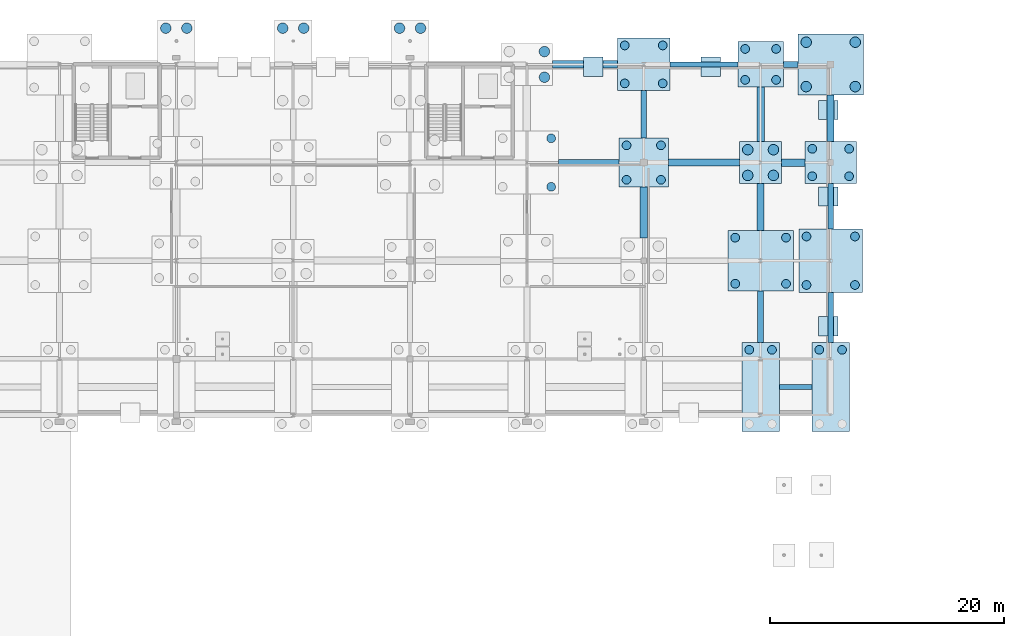
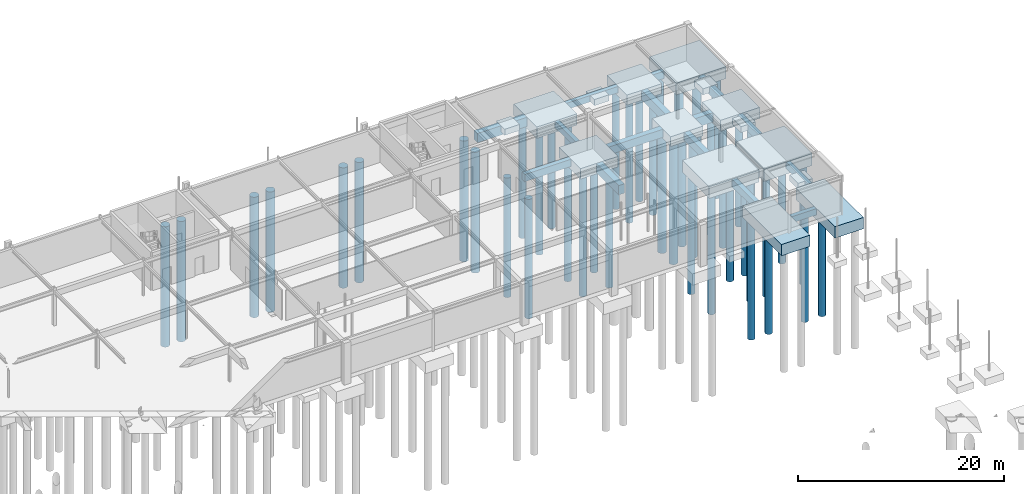
# One storey, part 11 of 75: 46 piles, 30 footings.
"""IFC4 building model written with IfcOpenShell, lengths in metres."""

import ifcopenshell
import ifcopenshell.guid

model = None  # the IFC model being written
_history = None  # IfcOwnerHistory: only IFC2X3 demands one
_inside = {}  # id of a spatial element -> (the spatial element, [elements in it])
_under = {}  # id of a project, library or spatial element -> (it, [spatial elements below it])
_declared = {}  # id of a project -> (the project, [libraries it declares])
_typed = {}  # id of a type object -> (the type object, [elements of that type])
_made_of = {}  # id of a material, layer set ... -> (it, [elements and type objects made of it])


def new_model(schema):
    """Start an empty IFC model of exactly this schema.

    Asked for "IFC4X3", IfcOpenShell would pick the latest addendum, in which some entities
    have other attributes; the version numbers below select the first issue.
    IFC2X3 requires an IfcOwnerHistory on every rooted entity: one is made here for all.
    """
    global model, _history
    if schema == "IFC4X3":
        model = ifcopenshell.file(schema_version=(4, 3, 0, 0))
    else:
        model = ifcopenshell.file(schema=schema)
    _inside.clear()
    _under.clear()
    _declared.clear()
    _typed.clear()
    _made_of.clear()
    _history = None
    if model.schema == "IFC2X3":
        org = make("IfcOrganization", Name="unknown")
        user = make(
            "IfcPersonAndOrganization",
            ThePerson=make("IfcPerson", FamilyName="unknown"),
            TheOrganization=org,
        )
        app = make(
            "IfcApplication",
            ApplicationDeveloper=org,
            Version="unknown",
            ApplicationFullName="unknown",
            ApplicationIdentifier="unknown",
        )
        _history = make(
            "IfcOwnerHistory",
            OwningUser=user,
            OwningApplication=app,
            ChangeAction="ADDED",
            CreationDate=0,
        )
    return model


def make(cls, **values):
    """One entity of the class cls with the attributes given. An attribute that is None is left unset."""
    return model.create_entity(
        cls, **{name: value for name, value in values.items() if value is not None}
    )


def rooted(cls, **values):
    """An entity with a GlobalId (a new one), such as an element, a storey or a relation."""
    return make(cls, GlobalId=ifcopenshell.guid.new(), OwnerHistory=_history, **values)


def si_unit(unit_type, name, prefix=None):
    """IfcSIUnit, for example si_unit("LENGTHUNIT", "METRE", prefix="MILLI")."""
    return make("IfcSIUnit", UnitType=unit_type, Prefix=prefix, Name=name)


def derived_unit(unit_type, elements):
    """IfcDerivedUnit: a product of units, each with its exponent."""
    return make(
        "IfcDerivedUnit",
        Elements=[
            make("IfcDerivedUnitElement", Unit=unit, Exponent=power)
            for unit, power in elements
        ],
        UnitType=unit_type,
    )


def assignment(units):
    """IfcUnitAssignment: the units of a project."""
    return None if units is None else make("IfcUnitAssignment", Units=units)


def point(xyz):
    """IfcCartesianPoint."""
    return None if xyz is None else make("IfcCartesianPoint", Coordinates=xyz)


def direction(xyz):
    """IfcDirection."""
    return None if xyz is None else make("IfcDirection", DirectionRatios=xyz)


def frame(location, z_axis=None, x_axis=None):
    """IfcAxis2Placement3D, a coordinate frame: its origin and axes. An axis left out is left unset."""
    return make(
        "IfcAxis2Placement3D",
        Location=point(location),
        Axis=direction(z_axis),
        RefDirection=direction(x_axis),
    )


def frame_2d(location, x_axis=None):
    """IfcAxis2Placement2D, a coordinate frame in the plane: its origin and x axis."""
    return make(
        "IfcAxis2Placement2D", Location=point(location), RefDirection=direction(x_axis)
    )


def origin():
    """The frame at (0, 0, 0) with its axes left unset."""
    return frame((0.0, 0.0, 0.0))


def origin_2d_with_axis():
    """The frame at (0, 0) in the plane with the x axis (1, 0) written out."""
    return frame_2d((0.0, 0.0), x_axis=(1.0, 0.0))


def place(relative_to, where):
    """IfcLocalPlacement: puts the frame where relative to a parent placement (None: the world)."""
    return make(
        "IfcLocalPlacement", PlacementRelTo=relative_to, RelativePlacement=where
    )


def context(
    kind, dimensions, precision=None, world=None, true_north=None, identifier=None
):
    """IfcGeometricRepresentationContext, for example the 3D "Model" context."""
    return make(
        "IfcGeometricRepresentationContext",
        ContextIdentifier=identifier,
        ContextType=kind,
        CoordinateSpaceDimension=dimensions,
        Precision=precision,
        WorldCoordinateSystem=world,
        TrueNorth=true_north,
    )


def subcontext(parent, identifier, kind, view, scale=None):
    """IfcGeometricRepresentationSubContext, for example "Body" below "Model"."""
    return make(
        "IfcGeometricRepresentationSubContext",
        ContextIdentifier=identifier,
        ContextType=kind,
        ParentContext=parent,
        TargetScale=scale,
        TargetView=view,
    )


def project(units=None, contexts=None):
    """IfcProject with its units and contexts."""
    return rooted(
        "IfcProject",
        Name="project",
        RepresentationContexts=contexts,
        UnitsInContext=assignment(units),
    )


def spatial(cls, under=None, at=None, **own):
    """A site, building, storey or space (cls), placed at a placement, below another one or the project."""
    s = rooted(cls, ObjectPlacement=at, **own)
    if under is not None:
        _under.setdefault(under.id(), (under, []))[1].append(s)
    return s


def profile(cls, at=None, kind="AREA", **sizes):
    """A parametric profile (cls). Its sizes go by their IFC names, for example OverallWidth=200.0."""
    return make(cls, ProfileType=kind, Position=at, **sizes)


def rectangle(**sizes):
    """IfcRectangleProfileDef."""
    return profile("IfcRectangleProfileDef", **sizes)


def circle(**sizes):
    """IfcCircleProfileDef."""
    return profile("IfcCircleProfileDef", **sizes)


def extrude(swept, where, along, depth):
    """IfcExtrudedAreaSolid: the profile swept, set in the frame where, extruded along a direction by depth."""
    return make(
        "IfcExtrudedAreaSolid",
        SweptArea=swept,
        Position=where,
        ExtrudedDirection=direction(along),
        Depth=depth,
    )


def shape(context_of_items, identifier, shape_type, items):
    """IfcShapeRepresentation: the items that make up one representation, for example the "Body"."""
    return make(
        "IfcShapeRepresentation",
        ContextOfItems=context_of_items,
        RepresentationIdentifier=identifier,
        RepresentationType=shape_type,
        Items=items,
    )


def material(Name=None, Category=None):
    """IfcMaterial."""
    return make("IfcMaterial", Name=Name, Category=Category)


def layer(
    of_material, thickness, ventilated=None, Name=None, Category=None, Priority=None
):
    """IfcMaterialLayer: one layer of a wall or slab, of a material (None: an air gap)."""
    return make(
        "IfcMaterialLayer",
        Material=of_material,
        LayerThickness=thickness,
        IsVentilated=ventilated,
        Name=Name,
        Category=Category,
        Priority=Priority,
    )


def layer_set(layers, Name=None):
    """IfcMaterialLayerSet."""
    return make("IfcMaterialLayerSet", MaterialLayers=layers, LayerSetName=Name)


def material_profile(
    of_material, cross_section, Name=None, Category=None, Priority=None
):
    """IfcMaterialProfile: a cross section and its material."""
    return make(
        "IfcMaterialProfile",
        Name=Name,
        Material=of_material,
        Profile=cross_section,
        Priority=Priority,
        Category=Category,
    )


def profile_set(profiles, Name=None, composite=None):
    """IfcMaterialProfileSet."""
    return make(
        "IfcMaterialProfileSet",
        Name=Name,
        MaterialProfiles=profiles,
        CompositeProfile=composite,
    )


def made_of(thing, what):
    """Note that an element or type object is made of a material, layer set ...; save() writes the relation."""
    if what is not None:
        _made_of.setdefault(what.id(), (what, []))[1].append(thing)
    return thing


def type_object(cls, material=None, **own):
    """A type object (cls), such as IfcWallType, which elements share."""
    return made_of(rooted(cls, **own), material)


def element(
    cls,
    number,
    at=None,
    inside=None,
    cuts=None,
    type_object=None,
    material=None,
    context=None,
    identifier="Body",
    shape_type=None,
    held_by="IfcProductDefinitionShape",
    body=None,
    shapes=None,
    **own,
):
    """One element of the class cls, such as IfcWall. Its Tag is "e" and its number.

    at: its placement. inside: the storey or other place that contains it. cuts: it is an
    opening in that element (IfcRelVoidsElement). A single representation is given by context,
    identifier, shape_type and body (its items); several are given by shapes. held_by: the class
    of the entity that holds the representations. save() writes the other relations.
    """
    e = rooted(cls, Tag="e%d" % number, ObjectPlacement=at, **own)
    if body is not None:
        shapes = [shape(context, identifier, shape_type, body)]
    if shapes is not None:
        e.Representation = make(held_by, Representations=shapes)
    if inside is not None:
        _inside.setdefault(inside.id(), (inside, []))[1].append(e)
    if cuts is not None:
        rooted(
            "IfcRelVoidsElement", RelatingBuildingElement=cuts, RelatedOpeningElement=e
        )
    if type_object is not None:
        _typed.setdefault(type_object.id(), (type_object, []))[1].append(e)
    return made_of(e, material)


def aggregate(whole, parts):
    """IfcRelAggregates: a whole, such as a stair, and the parts it consists of."""
    return rooted("IfcRelAggregates", RelatingObject=whole, RelatedObjects=parts)


def save(model, path):
    """Write the relations noted so far, then the file.

    IfcRelAggregates (storeys below a building ...), IfcRelContainedInSpatialStructure (elements
    in a storey), IfcRelDefinesByType, IfcRelAssociatesMaterial and IfcRelDeclares: one each for
    every whole, place, type object, material and project.
    """
    for whole, parts in _under.values():
        aggregate(whole, parts)
    for where, things in _inside.values():
        rooted(
            "IfcRelContainedInSpatialStructure",
            RelatedElements=things,
            RelatingStructure=where,
        )
    for kind, things in _typed.values():
        rooted("IfcRelDefinesByType", RelatedObjects=things, RelatingType=kind)
    for what, things in _made_of.values():
        rooted("IfcRelAssociatesMaterial", RelatedObjects=things, RelatingMaterial=what)
    for by, libraries in _declared.values():
        rooted("IfcRelDeclares", RelatingContext=by, RelatedDefinitions=libraries)
    model.write(path)


model = new_model("IFC4")

# Units and contexts
model_context = context("Model", 3, precision=1e-05, world=origin(), true_north=direction((0.0, 1.0)))
body_context = subcontext(model_context, "Body", "Model", "MODEL_VIEW")
ifc_project = project(units=[si_unit("LENGTHUNIT", "METRE"), si_unit("AREAUNIT", "SQUARE_METRE"), si_unit("VOLUMEUNIT", "CUBIC_METRE"), si_unit("PLANEANGLEUNIT", "RADIAN"), si_unit("MASSUNIT", "GRAM", prefix="KILO"), derived_unit("THERMALTRANSMITTANCEUNIT", [(si_unit("POWERUNIT", "WATT"), 1), (si_unit("LENGTHUNIT", "METRE"), -2), (si_unit("THERMODYNAMICTEMPERATUREUNIT", "KELVIN"), -1)])], contexts=[model_context])

# Site, building, storey
site_placement = place(None, origin())
site = spatial("IfcSite", under=ifc_project, at=site_placement, CompositionType="ELEMENT")
building_placement = place(site_placement, origin())
building = spatial("IfcBuilding", under=site, at=building_placement, Name="Cinnabar Yard Market Hall", CompositionType="ELEMENT")
storey_placement = place(building_placement, frame((0.0, 0.0, -4.5)))
storey = spatial("IfcBuildingStorey", under=building, at=storey_placement, Name="B1", CompositionType="ELEMENT", Elevation=-4.5)

# Footings
ifc_material = material(Name="Concrete 40 MPa", Category="concrete")
ifc_material_profile_1 = material_profile(ifc_material, rectangle(XDim=0.449951171875, YDim=0.75, at=origin_2d_with_axis()), Name="GB-450x750")
ifc_profile_set_1 = profile_set([ifc_material_profile_1], Name="Concrete 40 MPa")
footing_type_1 = type_object("IfcFootingType", Name="FT-GB01", PredefinedType="FOOTING_BEAM", material=ifc_profile_set_1)
footing_1_placement = place(storey_placement, frame((157.60009765625, 110.39990234375, -0.824951171875), z_axis=(1.0, 0.0, 0.0), x_axis=(0.0, 1.0, 0.0)))
element("IfcFooting", 1, at=footing_1_placement, inside=storey, type_object=footing_type_1, Name="Ground Beam X 0120", PredefinedType="FOOTING_BEAM", context=body_context, shape_type="SweptSolid", body=[
    extrude(rectangle(XDim=0.449951171875, YDim=0.75, at=origin_2d_with_axis()), origin(), (0.0, 0.0, 1.0), 2.7998046875),
])
footing_2_placement = place(storey_placement, frame((148.25, 138.0, -0.824951171875), z_axis=(1.0, 0.0, 0.0), x_axis=(0.0, 1.0, 0.0)))
element("IfcFooting", 2, at=footing_2_placement, inside=storey, type_object=footing_type_1, Name="Ground Beam X 0148", PredefinedType="FOOTING_BEAM", context=body_context, shape_type="SweptSolid", body=[
    extrude(rectangle(XDim=0.449951171875, YDim=0.75, at=origin_2d_with_axis()), origin(), (0.0, 0.0, 1.0), 5.800048828125),
])
footing_3_placement = place(storey_placement, frame((146.0, 131.699951171875, -0.824951171875), z_axis=(0.0, 1.0, 0.0), x_axis=(-1.0, 0.0, 0.0)))
element("IfcFooting", 3, at=footing_3_placement, inside=storey, type_object=footing_type_1, Name="Ground Beam Y 0252", PredefinedType="FOOTING_BEAM", context=body_context, shape_type="SweptSolid", body=[
    extrude(rectangle(XDim=0.449951171875, YDim=0.75, at=origin_2d_with_axis()), origin(), (0.0, 0.0, 1.0), 4.050048828125),
])
footing_4_placement = place(storey_placement, frame((162.0, 114.199951171875, -0.824951171875), z_axis=(0.0, 1.0, 0.0), x_axis=(-1.0, 0.0, 0.0)))
element("IfcFooting", 4, at=footing_4_placement, inside=storey, type_object=footing_type_1, Name="Ground Beam Y 0260", PredefinedType="FOOTING_BEAM", context=body_context, shape_type="SweptSolid", body=[
    extrude(rectangle(XDim=0.449951171875, YDim=0.75, at=origin_2d_with_axis()), origin(), (0.0, 0.0, 1.0), 4.300048828125),
])
ifc_material_profile_2 = material_profile(ifc_material, rectangle(XDim=0.5, YDim=0.85009765625, at=origin_2d_with_axis()), Name="GB-500x850")
ifc_profile_set_2 = profile_set([ifc_material_profile_2], Name="Concrete 40 MPa")
footing_type_2 = type_object("IfcFootingType", Name="FT-GB02", PredefinedType="FOOTING_BEAM", material=ifc_profile_set_2)
footing_5_placement = place(storey_placement, frame((138.699951171875, 129.60009765625, -0.875), z_axis=(1.0, 0.0, 0.0), x_axis=(0.0, 1.0, 0.0)))
element("IfcFooting", 5, at=footing_5_placement, inside=storey, type_object=footing_type_2, Name="Ground Beam X 0137", PredefinedType="FOOTING_BEAM", context=body_context, shape_type="SweptSolid", body=[
    extrude(rectangle(XDim=0.5, YDim=0.85009765625, at=origin_2d_with_axis()), origin(), (0.0, 0.0, 1.0), 5.199951171875),
])
footing_6_placement = place(storey_placement, frame((157.949951171875, 138.0, -0.875), z_axis=(1.0, 0.0, 0.0), x_axis=(0.0, 1.0, 0.0)))
element("IfcFooting", 6, at=footing_6_placement, inside=storey, type_object=footing_type_2, Name="Ground Beam X 0149", PredefinedType="FOOTING_BEAM", context=body_context, shape_type="SweptSolid", body=[
    extrude(rectangle(XDim=0.5, YDim=0.85009765625, at=origin_2d_with_axis()), origin(), (0.0, 0.0, 1.0), 1.25),
])
footing_7_placement = place(storey_placement, frame((156.0, 114.199951171875, -0.875), z_axis=(0.0, 1.0, 0.0), x_axis=(-1.0, 0.0, 0.0)))
element("IfcFooting", 7, at=footing_7_placement, inside=storey, type_object=footing_type_2, Name="Ground Beam Y 0257", PredefinedType="FOOTING_BEAM", context=body_context, shape_type="SweptSolid", body=[
    extrude(rectangle(XDim=0.5, YDim=0.85009765625, at=origin_2d_with_axis()), origin(), (0.0, 0.0, 1.0), 4.400146484375),
])
footing_8_placement = place(storey_placement, frame((162.0, 123.89990234375, -0.875), z_axis=(0.0, 1.0, 0.0), x_axis=(-1.0, 0.0, 0.0)))
element("IfcFooting", 8, at=footing_8_placement, inside=storey, type_object=footing_type_2, Name="Ground Beam Y 0261", PredefinedType="FOOTING_BEAM", context=body_context, shape_type="SweptSolid", body=[
    extrude(rectangle(XDim=0.5, YDim=0.85009765625, at=origin_2d_with_axis()), origin(), (0.0, 0.0, 1.0), 3.900146484375),
])
ifc_material_profile_3 = material_profile(ifc_material, rectangle(XDim=0.60009765625, YDim=0.949951171875, at=origin_2d_with_axis()), Name="GB-600x950")
ifc_profile_set_3 = profile_set([ifc_material_profile_3], Name="Concrete 40 MPa")
footing_type_3 = type_object("IfcFootingType", Name="FT-GB03", PredefinedType="FOOTING_BEAM", material=ifc_profile_set_3)
footing_9_placement = place(storey_placement, frame((148.10009765625, 129.60009765625, -0.925048828125), z_axis=(1.0, 0.0, 0.0), x_axis=(0.0, 1.0, 0.0)))
element("IfcFooting", 9, at=footing_9_placement, inside=storey, type_object=footing_type_3, Name="Ground Beam X 0138", PredefinedType="FOOTING_BEAM", context=body_context, shape_type="SweptSolid", body=[
    extrude(rectangle(XDim=0.60009765625, YDim=0.949951171875, at=origin_2d_with_axis()), origin(), (0.0, 0.0, 1.0), 6.099853515625),
])
for number, where, z_axis, x_axis, name in (
    (10, (156.0, 123.800048828125, -0.925048828125), (0.0, 1.0, 0.0), (-1.0, 0.0, 0.0), "Ground Beam Y 0258"),
    (11, (162.0, 131.39990234375, -0.925048828125), (0.0, 1.0, 0.0), (-1.0, 0.0, 0.0), "Ground Beam Y 0262"),
):
    element("IfcFooting", number, at=place(storey_placement, frame(where, z_axis=z_axis, x_axis=x_axis)), inside=storey, type_object=footing_type_3, Name=name, PredefinedType="FOOTING_BEAM", context=body_context, shape_type="SweptSolid", body=[
        extrude(rectangle(XDim=0.60009765625, YDim=0.949951171875, at=origin_2d_with_axis()), origin(), (0.0, 0.0, 1.0), 4.0),
    ])
ifc_material_profile_4 = material_profile(ifc_material, rectangle(XDim=0.64990234375, YDim=1.10009765625, at=origin_2d_with_axis()), Name="GB-650x1100")
ifc_profile_set_4 = profile_set([ifc_material_profile_4], Name="Concrete 40 MPa")
footing_type_4 = type_object("IfcFootingType", Name="FT-GB04", PredefinedType="FOOTING_BEAM", material=ifc_profile_set_4)
footing_10_placement = place(storey_placement, frame((157.800048828125, 129.60009765625, -1.0), z_axis=(1.0, 0.0, 0.0), x_axis=(0.0, 1.0, 0.0)))
element("IfcFooting", 12, at=footing_10_placement, inside=storey, type_object=footing_type_4, Name="Ground Beam X 0139", PredefinedType="FOOTING_BEAM", context=body_context, shape_type="SweptSolid", body=[
    extrude(rectangle(XDim=0.64990234375, YDim=1.10009765625, at=origin_2d_with_axis()), origin(), (0.0, 0.0, 1.0), 2.0),
])
footing_11_placement = place(storey_placement, frame((138.199951171875, 138.0, -1.0), z_axis=(1.0, 0.0, 0.0), x_axis=(0.0, 1.0, 0.0)))
element("IfcFooting", 13, at=footing_11_placement, inside=storey, type_object=footing_type_4, Name="Ground Beam X 0147", PredefinedType="FOOTING_BEAM", context=body_context, shape_type="SweptSolid", body=[
    extrude(rectangle(XDim=0.64990234375, YDim=1.10009765625, at=origin_2d_with_axis()), origin(), (0.0, 0.0, 1.0), 5.550048828125),
])
footing_12_placement = place(storey_placement, frame((146.0, 123.14990234375, -1.0), z_axis=(0.0, 1.0, 0.0), x_axis=(-1.0, 0.0, 0.0)))
element("IfcFooting", 14, at=footing_12_placement, inside=storey, type_object=footing_type_4, Name="Ground Beam Y 0251", PredefinedType="FOOTING_BEAM", context=body_context, shape_type="SweptSolid", body=[
    extrude(rectangle(XDim=0.64990234375, YDim=1.10009765625, at=origin_2d_with_axis()), origin(), (0.0, 0.0, 1.0), 4.35009765625),
])
footing_13_placement = place(storey_placement, frame((156.0, 131.39990234375, -1.0), z_axis=(0.0, 1.0, 0.0), x_axis=(-1.0, 0.0, 0.0)))
element("IfcFooting", 15, at=footing_13_placement, inside=storey, type_object=footing_type_4, Name="Ground Beam Y 0259", PredefinedType="FOOTING_BEAM", context=body_context, shape_type="SweptSolid", body=[
    extrude(rectangle(XDim=0.64990234375, YDim=1.10009765625, at=origin_2d_with_axis()), origin(), (0.0, 0.0, 1.0), 4.650146484375),
])
ifc_layer_1 = layer(ifc_material, 1.14990234375)
ifc_layer_set_1 = layer_set([ifc_layer_1], Name="Concrete 40 MPa")
footing_type_5 = type_object("IfcFootingType", Name="FT-PC03", PredefinedType="PILE_CAP", material=ifc_layer_set_1)
footing_14_placement = place(storey_placement, frame((156.0, 129.60009765625, -1.599853515625), z_axis=(0.0, 0.0, 1.0), x_axis=(1.0, 0.0, 0.0)))
element("IfcFooting", 16, at=footing_14_placement, inside=storey, type_object=footing_type_5, Name="Pile Cap V3-10-04", PredefinedType="PILE_CAP", context=body_context, shape_type="SweptSolid", body=[
    extrude(rectangle(XDim=3.60009765625, YDim=3.60009765625, at=origin_2d_with_axis()), origin(), (0.0, 0.0, 1.0), 1.14990234375),
])
ifc_layer_2 = layer(ifc_material, 1.199951171875)
ifc_layer_set_2 = layer_set([ifc_layer_2], Name="Concrete 40 MPa")
footing_type_6 = type_object("IfcFootingType", Name="FT-PC04", PredefinedType="PILE_CAP", material=ifc_layer_set_2)
footing_15_placement = place(storey_placement, frame((156.0, 138.0, -1.64990234375), z_axis=(0.0, 0.0, 1.0), x_axis=(1.0, 0.0, 0.0)))
element("IfcFooting", 17, at=footing_15_placement, inside=storey, type_object=footing_type_6, Name="Pile Cap V3-10-05", PredefinedType="PILE_CAP", context=body_context, shape_type="SweptSolid", body=[
    extrude(rectangle(XDim=3.89990234375, YDim=3.89990234375, at=origin_2d_with_axis()), origin(), (0.0, 0.0, 1.0), 1.199951171875),
])
ifc_layer_3 = layer(ifc_material, 1.25)
ifc_layer_set_3 = layer_set([ifc_layer_3], Name="Concrete 40 MPa")
footing_type_7 = type_object("IfcFootingType", Name="FT-PC05", PredefinedType="PILE_CAP", material=ifc_layer_set_3)
footing_16_placement = place(storey_placement, frame((146.0, 129.60009765625, -1.699951171875), z_axis=(0.0, 0.0, 1.0), x_axis=(1.0, 0.0, 0.0)))
element("IfcFooting", 18, at=footing_16_placement, inside=storey, type_object=footing_type_7, Name="Pile Cap V3-09-04", PredefinedType="PILE_CAP", context=body_context, shape_type="SweptSolid", body=[
    extrude(rectangle(XDim=4.199951171875, YDim=4.199951171875, at=origin_2d_with_axis()), origin(), (0.0, 0.0, 1.0), 1.25),
])
ifc_layer_4 = layer(ifc_material, 1.35009765625)
ifc_layer_set_4 = layer_set([ifc_layer_4], Name="Concrete 40 MPa")
footing_type_8 = type_object("IfcFootingType", Name="FT-PC06", PredefinedType="PILE_CAP", material=ifc_layer_set_4)
footing_17_placement = place(storey_placement, frame((146.0, 138.0, -1.800048828125), z_axis=(0.0, 0.0, 1.0), x_axis=(1.0, 0.0, 0.0)))
element("IfcFooting", 19, at=footing_17_placement, inside=storey, type_object=footing_type_8, Name="Pile Cap V3-09-05", PredefinedType="PILE_CAP", context=body_context, shape_type="SweptSolid", body=[
    extrude(rectangle(XDim=4.5, YDim=4.5, at=origin_2d_with_axis()), origin(), (0.0, 0.0, 1.0), 1.35009765625),
])
ifc_layer_5 = layer(ifc_material, 1.449951171875)
ifc_layer_set_5 = layer_set([ifc_layer_5], Name="Concrete 40 MPa")
footing_type_9 = type_object("IfcFootingType", Name="FT-PC12", PredefinedType="PILE_CAP", material=ifc_layer_set_5)
footing_18_placement = place(storey_placement, frame((162.0, 121.199951171875, -1.89990234375), z_axis=(0.0, 0.0, 1.0), x_axis=(1.0, 0.0, 0.0)))
element("IfcFooting", 20, at=footing_18_placement, inside=storey, type_object=footing_type_9, Name="Pile Cap V3-11-03", PredefinedType="PILE_CAP", context=body_context, shape_type="SweptSolid", body=[
    extrude(rectangle(XDim=5.39990234375, YDim=5.39990234375, at=origin_2d_with_axis()), origin(), (0.0, 0.0, 1.0), 1.449951171875),
])
ifc_layer_6 = layer(ifc_material, 1.300048828125)
ifc_layer_set_6 = layer_set([ifc_layer_6], Name="Concrete 40 MPa")
footing_type_10 = type_object("IfcFootingType", Name="FT-PC15", PredefinedType="PILE_CAP", material=ifc_layer_set_6)
footing_19_placement = place(storey_placement, frame((162.0, 129.60009765625, -1.75), z_axis=(0.0, 0.0, 1.0), x_axis=(1.0, 0.0, 0.0)))
element("IfcFooting", 21, at=footing_19_placement, inside=storey, type_object=footing_type_10, Name="Pile Cap V3-11-04", PredefinedType="PILE_CAP", context=body_context, shape_type="SweptSolid", body=[
    extrude(rectangle(XDim=4.39990234375, YDim=3.60009765625, at=origin_2d_with_axis()), origin(), (0.0, 0.0, 1.0), 1.300048828125),
])
ifc_layer_7 = layer(ifc_material, 1.39990234375)
ifc_layer_set_7 = layer_set([ifc_layer_7], Name="Concrete 40 MPa")
footing_type_11 = type_object("IfcFootingType", Name="FT-PC16", PredefinedType="PILE_CAP", material=ifc_layer_set_7)
for number, where, z_axis, x_axis, name in (
    (22, (156.0, 121.199951171875, -1.849853515625), (0.0, 0.0, 1.0), (1.0, 0.0, 0.0), "Pile Cap V3-10-03"),
    (23, (162.0, 138.0, -1.849853515625), (0.0, 0.0, 1.0), (1.0, 0.0, 0.0), "Pile Cap V3-11-05"),
):
    element("IfcFooting", number, at=place(storey_placement, frame(where, z_axis=z_axis, x_axis=x_axis)), inside=storey, type_object=footing_type_11, Name=name, PredefinedType="PILE_CAP", context=body_context, shape_type="SweptSolid", body=[
        extrude(rectangle(XDim=5.60009765625, YDim=5.199951171875, at=origin_2d_with_axis()), origin(), (0.0, 0.0, 1.0), 1.39990234375),
    ])
ifc_layer_8 = layer(ifc_material, 1.35009765625)
ifc_layer_set_8 = layer_set([ifc_layer_8], Name="Concrete 40 MPa")
footing_type_12 = type_object("IfcFootingType", Name="FT-PC17", PredefinedType="PILE_CAP", material=ifc_layer_set_8)
for number, where, z_axis, x_axis, name in (
    (24, (156.0, 110.39990234375, -1.800048828125), (0.0, 0.0, 1.0), (1.0, 0.0, 0.0), "Pile Cap V3-10-01-PAIR"),
    (25, (162.0, 110.39990234375, -1.800048828125), (0.0, 0.0, 1.0), (1.0, 0.0, 0.0), "Pile Cap V3-11-01-PAIR"),
):
    element("IfcFooting", number, at=place(storey_placement, frame(where, z_axis=z_axis, x_axis=x_axis)), inside=storey, type_object=footing_type_12, Name=name, PredefinedType="PILE_CAP", context=body_context, shape_type="SweptSolid", body=[
        extrude(rectangle(XDim=3.199951171875, YDim=7.60009765625, at=origin_2d_with_axis()), origin(), (0.0, 0.0, 1.0), 1.35009765625),
    ])
ifc_layer_9 = layer(ifc_material, 0.719970703125)
ifc_layer_set_9 = layer_set([ifc_layer_9], Name="Concrete 40 MPa")
footing_type_13 = type_object("IfcFootingType", Name="FT-PF02", PredefinedType="PAD_FOOTING", material=ifc_layer_set_9)
for number, where, z_axis, x_axis, name in (
    (26, (141.68505859375, 137.800048828125, -1.169921875), (0.0, 0.0, 1.0), (1.0, 0.0, 0.0), "Wall Pad B1-RET-V3N3-2"),
    (27, (151.742919921875, 137.800048828125, -1.169921875), (0.0, 0.0, 1.0), (1.0, 0.0, 0.0), "Wall Pad B1-RET-V3N3-5"),
    (28, (161.800048828125, 115.60009765625, -1.169921875), (0.0, 0.0, 1.0), (1.0, 0.0, 0.0), "Wall Pad B1-RET-V3E-2"),
    (29, (161.800048828125, 126.699951171875, -1.169921875), (0.0, 0.0, 1.0), (1.0, 0.0, 0.0), "Wall Pad B1-RET-V3E-5"),
    (30, (161.800048828125, 134.10009765625, -1.169921875), (0.0, 0.0, 1.0), (1.0, 0.0, 0.0), "Wall Pad B1-RET-V3E-7"),
):
    element("IfcFooting", number, at=place(storey_placement, frame(where, z_axis=z_axis, x_axis=x_axis)), inside=storey, type_object=footing_type_13, Name=name, PredefinedType="PAD_FOOTING", context=body_context, shape_type="SweptSolid", body=[
        extrude(rectangle(XDim=1.64990234375, YDim=1.64990234375, at=origin_2d_with_axis()), origin(), (0.0, 0.0, 1.0), 0.719970703125),
    ])

# Piles
ifc_material_profile_5 = material_profile(ifc_material, circle(Radius=0.375, at=origin_2d_with_axis()), Name="PILE-D750")
ifc_profile_set_5 = profile_set([ifc_material_profile_5], Name="Concrete 40 MPa")
pile_type_1 = type_object("IfcPileType", Name="PILE-PL750", PredefinedType="BORED", material=ifc_profile_set_5)
for number, where, z_axis, x_axis, name in (
    (31, (138.074951171875, 127.52490234375, -1.800048828125), (0.0, 0.0, -1.0), (1.0, 0.0, 0.0), "Bored Pile 0450"),
    (32, (138.074951171875, 131.675048828125, -1.800048828125), (0.0, 0.0, -1.0), (1.0, 0.0, 0.0), "Bored Pile 0452"),
):
    element("IfcPile", number, at=place(storey_placement, frame(where, z_axis=z_axis, x_axis=x_axis)), inside=storey, type_object=pile_type_1, Name=name, PredefinedType="BORED", context=body_context, shape_type="SweptSolid", body=[
        extrude(circle(Radius=0.375, at=origin_2d_with_axis()), origin(), (0.0, 0.0, 1.0), 14.199951171875),
    ])
for number, where, z_axis, x_axis, name in (
    (33, (144.52490234375, 128.125, -1.60009765625), (0.0, 0.0, -1.0), (1.0, 0.0, 0.0), "Bored Pile 0465"),
    (34, (147.47509765625, 128.125, -1.60009765625), (0.0, 0.0, -1.0), (1.0, 0.0, 0.0), "Bored Pile 0466"),
    (35, (144.52490234375, 131.074951171875, -1.60009765625), (0.0, 0.0, -1.0), (1.0, 0.0, 0.0), "Bored Pile 0467"),
    (36, (147.47509765625, 131.074951171875, -1.60009765625), (0.0, 0.0, -1.0), (1.0, 0.0, 0.0), "Bored Pile 0468"),
):
    element("IfcPile", number, at=place(storey_placement, frame(where, z_axis=z_axis, x_axis=x_axis)), inside=storey, type_object=pile_type_1, Name=name, PredefinedType="BORED", context=body_context, shape_type="SweptSolid", body=[
        extrude(circle(Radius=0.375, at=origin_2d_with_axis()), origin(), (0.0, 0.0, 1.0), 14.39990234375),
    ])
for number, where, z_axis, x_axis, name in (
    (37, (144.375, 136.375, -1.699951171875), (0.0, 0.0, -1.0), (1.0, 0.0, 0.0), "Bored Pile 0469"),
    (38, (147.625, 136.375, -1.699951171875), (0.0, 0.0, -1.0), (1.0, 0.0, 0.0), "Bored Pile 0470"),
    (39, (144.375, 139.625, -1.699951171875), (0.0, 0.0, -1.0), (1.0, 0.0, 0.0), "Bored Pile 0471"),
    (40, (147.625, 139.625, -1.699951171875), (0.0, 0.0, -1.0), (1.0, 0.0, 0.0), "Bored Pile 0472"),
    (41, (155.02490234375, 113.574951171875, -1.699951171875), (0.0, 0.0, -1.0), (1.0, 0.0, 0.0), "Bored Pile 0475"),
    (42, (156.97509765625, 113.574951171875, -1.699951171875), (0.0, 0.0, -1.0), (1.0, 0.0, 0.0), "Bored Pile 0476"),
):
    element("IfcPile", number, at=place(storey_placement, frame(where, z_axis=z_axis, x_axis=x_axis)), inside=storey, type_object=pile_type_1, Name=name, PredefinedType="BORED", context=body_context, shape_type="SweptSolid", body=[
        extrude(circle(Radius=0.375, at=origin_2d_with_axis()), origin(), (0.0, 0.0, 1.0), 14.300048828125),
    ])
for number, where, z_axis, x_axis, name in (
    (43, (153.824951171875, 119.22509765625, -1.75), (0.0, 0.0, -1.0), (1.0, 0.0, 0.0), "Bored Pile 0477"),
    (44, (158.175048828125, 119.22509765625, -1.75), (0.0, 0.0, -1.0), (1.0, 0.0, 0.0), "Bored Pile 0478"),
    (45, (153.824951171875, 123.175048828125, -1.75), (0.0, 0.0, -1.0), (1.0, 0.0, 0.0), "Bored Pile 0479"),
    (46, (158.175048828125, 123.175048828125, -1.75), (0.0, 0.0, -1.0), (1.0, 0.0, 0.0), "Bored Pile 0480"),
):
    element("IfcPile", number, at=place(storey_placement, frame(where, z_axis=z_axis, x_axis=x_axis)), inside=storey, type_object=pile_type_1, Name=name, PredefinedType="BORED", context=body_context, shape_type="SweptSolid", body=[
        extrude(circle(Radius=0.375, at=origin_2d_with_axis()), origin(), (0.0, 0.0, 1.0), 14.25),
    ])
for number, where, z_axis, x_axis, name in (
    (47, (154.675048828125, 136.675048828125, -1.550048828125), (0.0, 0.0, -1.0), (1.0, 0.0, 0.0), "Bored Pile 0485"),
    (48, (157.324951171875, 136.675048828125, -1.550048828125), (0.0, 0.0, -1.0), (1.0, 0.0, 0.0), "Bored Pile 0486"),
    (49, (154.675048828125, 139.324951171875, -1.550048828125), (0.0, 0.0, -1.0), (1.0, 0.0, 0.0), "Bored Pile 0487"),
    (50, (157.324951171875, 139.324951171875, -1.550048828125), (0.0, 0.0, -1.0), (1.0, 0.0, 0.0), "Bored Pile 0488"),
):
    element("IfcPile", number, at=place(storey_placement, frame(where, z_axis=z_axis, x_axis=x_axis)), inside=storey, type_object=pile_type_1, Name=name, PredefinedType="BORED", context=body_context, shape_type="SweptSolid", body=[
        extrude(circle(Radius=0.375, at=origin_2d_with_axis()), origin(), (0.0, 0.0, 1.0), 14.449951171875),
    ])
for number, where, z_axis, x_axis, name in (
    (51, (161.02490234375, 113.574951171875, -1.699951171875), (0.0, 0.0, -1.0), (1.0, 0.0, 0.0), "Bored Pile 0491"),
    (52, (162.97509765625, 113.574951171875, -1.699951171875), (0.0, 0.0, -1.0), (1.0, 0.0, 0.0), "Bored Pile 0492"),
):
    element("IfcPile", number, at=place(storey_placement, frame(where, z_axis=z_axis, x_axis=x_axis)), inside=storey, type_object=pile_type_1, Name=name, PredefinedType="BORED", context=body_context, shape_type="SweptSolid", body=[
        extrude(circle(Radius=0.375, at=origin_2d_with_axis()), origin(), (0.0, 0.0, 1.0), 14.300048828125),
    ])
for number, where, z_axis, x_axis, name in (
    (53, (159.925048828125, 119.125, -1.800048828125), (0.0, 0.0, -1.0), (1.0, 0.0, 0.0), "Bored Pile 0493"),
    (54, (164.074951171875, 119.125, -1.800048828125), (0.0, 0.0, -1.0), (1.0, 0.0, 0.0), "Bored Pile 0494"),
    (55, (159.925048828125, 123.27490234375, -1.800048828125), (0.0, 0.0, -1.0), (1.0, 0.0, 0.0), "Bored Pile 0495"),
    (56, (164.074951171875, 123.27490234375, -1.800048828125), (0.0, 0.0, -1.0), (1.0, 0.0, 0.0), "Bored Pile 0496"),
):
    element("IfcPile", number, at=place(storey_placement, frame(where, z_axis=z_axis, x_axis=x_axis)), inside=storey, type_object=pile_type_1, Name=name, PredefinedType="BORED", context=body_context, shape_type="SweptSolid", body=[
        extrude(circle(Radius=0.375, at=origin_2d_with_axis()), origin(), (0.0, 0.0, 1.0), 14.199951171875),
    ])
for number, where, z_axis, x_axis, name in (
    (57, (160.425048828125, 128.425048828125, -1.64990234375), (0.0, 0.0, -1.0), (1.0, 0.0, 0.0), "Bored Pile 0497"),
    (58, (163.574951171875, 128.425048828125, -1.64990234375), (0.0, 0.0, -1.0), (1.0, 0.0, 0.0), "Bored Pile 0498"),
    (59, (160.425048828125, 130.77490234375, -1.64990234375), (0.0, 0.0, -1.0), (1.0, 0.0, 0.0), "Bored Pile 0499"),
    (60, (163.574951171875, 130.77490234375, -1.64990234375), (0.0, 0.0, -1.0), (1.0, 0.0, 0.0), "Bored Pile 0500"),
):
    element("IfcPile", number, at=place(storey_placement, frame(where, z_axis=z_axis, x_axis=x_axis)), inside=storey, type_object=pile_type_1, Name=name, PredefinedType="BORED", context=body_context, shape_type="SweptSolid", body=[
        extrude(circle(Radius=0.375, at=origin_2d_with_axis()), origin(), (0.0, 0.0, 1.0), 14.35009765625),
    ])
ifc_material_profile_6 = material_profile(ifc_material, circle(Radius=0.449951171875, at=origin_2d_with_axis()), Name="PILE-D900")
ifc_profile_set_6 = profile_set([ifc_material_profile_6], Name="Concrete 40 MPa")
pile_type_2 = type_object("IfcPileType", Name="PILE-PL900", PredefinedType="BORED", material=ifc_profile_set_6)
for number, where, z_axis, x_axis, name in (
    (61, (105.10009765625, 141.10009765625, -1.699951171875), (0.0, 0.0, -1.0), (1.0, 0.0, 0.0), "Bored Pile 0407"),
    (62, (106.89990234375, 141.10009765625, -1.699951171875), (0.0, 0.0, -1.0), (1.0, 0.0, 0.0), "Bored Pile 0408"),
    (63, (115.10009765625, 141.10009765625, -1.699951171875), (0.0, 0.0, -1.0), (1.0, 0.0, 0.0), "Bored Pile 0423"),
    (64, (116.89990234375, 141.10009765625, -1.699951171875), (0.0, 0.0, -1.0), (1.0, 0.0, 0.0), "Bored Pile 0424"),
    (65, (125.10009765625, 141.10009765625, -1.699951171875), (0.0, 0.0, -1.0), (1.0, 0.0, 0.0), "Bored Pile 0439"),
    (66, (126.89990234375, 141.10009765625, -1.699951171875), (0.0, 0.0, -1.0), (1.0, 0.0, 0.0), "Bored Pile 0440"),
):
    element("IfcPile", number, at=place(storey_placement, frame(where, z_axis=z_axis, x_axis=x_axis)), inside=storey, type_object=pile_type_2, Name=name, PredefinedType="BORED", context=body_context, shape_type="SweptSolid", body=[
        extrude(circle(Radius=0.449951171875, at=origin_2d_with_axis()), origin(), (0.0, 0.0, 1.0), 14.300048828125),
    ])
for number, where, z_axis, x_axis, name in (
    (67, (137.5, 136.89990234375, -1.64990234375), (0.0, 0.0, -1.0), (1.0, 0.0, 0.0), "Bored Pile 0454"),
    (68, (137.5, 139.10009765625, -1.64990234375), (0.0, 0.0, -1.0), (1.0, 0.0, 0.0), "Bored Pile 0456"),
):
    element("IfcPile", number, at=place(storey_placement, frame(where, z_axis=z_axis, x_axis=x_axis)), inside=storey, type_object=pile_type_2, Name=name, PredefinedType="BORED", context=body_context, shape_type="SweptSolid", body=[
        extrude(circle(Radius=0.449951171875, at=origin_2d_with_axis()), origin(), (0.0, 0.0, 1.0), 14.35009765625),
    ])
for number, where, z_axis, x_axis, name in (
    (69, (154.89990234375, 128.5, -1.5), (0.0, 0.0, -1.0), (1.0, 0.0, 0.0), "Bored Pile 0481"),
    (70, (157.10009765625, 128.5, -1.5), (0.0, 0.0, -1.0), (1.0, 0.0, 0.0), "Bored Pile 0482"),
    (71, (154.89990234375, 130.699951171875, -1.5), (0.0, 0.0, -1.0), (1.0, 0.0, 0.0), "Bored Pile 0483"),
    (72, (157.10009765625, 130.699951171875, -1.5), (0.0, 0.0, -1.0), (1.0, 0.0, 0.0), "Bored Pile 0484"),
):
    element("IfcPile", number, at=place(storey_placement, frame(where, z_axis=z_axis, x_axis=x_axis)), inside=storey, type_object=pile_type_2, Name=name, PredefinedType="BORED", context=body_context, shape_type="SweptSolid", body=[
        extrude(circle(Radius=0.449951171875, at=origin_2d_with_axis()), origin(), (0.0, 0.0, 1.0), 14.5),
    ])
for number, where, z_axis, x_axis, name in (
    (73, (159.89990234375, 136.10009765625, -1.75), (0.0, 0.0, -1.0), (1.0, 0.0, 0.0), "Bored Pile 0501"),
    (74, (164.10009765625, 136.10009765625, -1.75), (0.0, 0.0, -1.0), (1.0, 0.0, 0.0), "Bored Pile 0502"),
    (75, (159.89990234375, 139.89990234375, -1.75), (0.0, 0.0, -1.0), (1.0, 0.0, 0.0), "Bored Pile 0503"),
    (76, (164.10009765625, 139.89990234375, -1.75), (0.0, 0.0, -1.0), (1.0, 0.0, 0.0), "Bored Pile 0504"),
):
    element("IfcPile", number, at=place(storey_placement, frame(where, z_axis=z_axis, x_axis=x_axis)), inside=storey, type_object=pile_type_2, Name=name, PredefinedType="BORED", context=body_context, shape_type="SweptSolid", body=[
        extrude(circle(Radius=0.449951171875, at=origin_2d_with_axis()), origin(), (0.0, 0.0, 1.0), 14.25),
    ])

save(model, "model.ifc")
